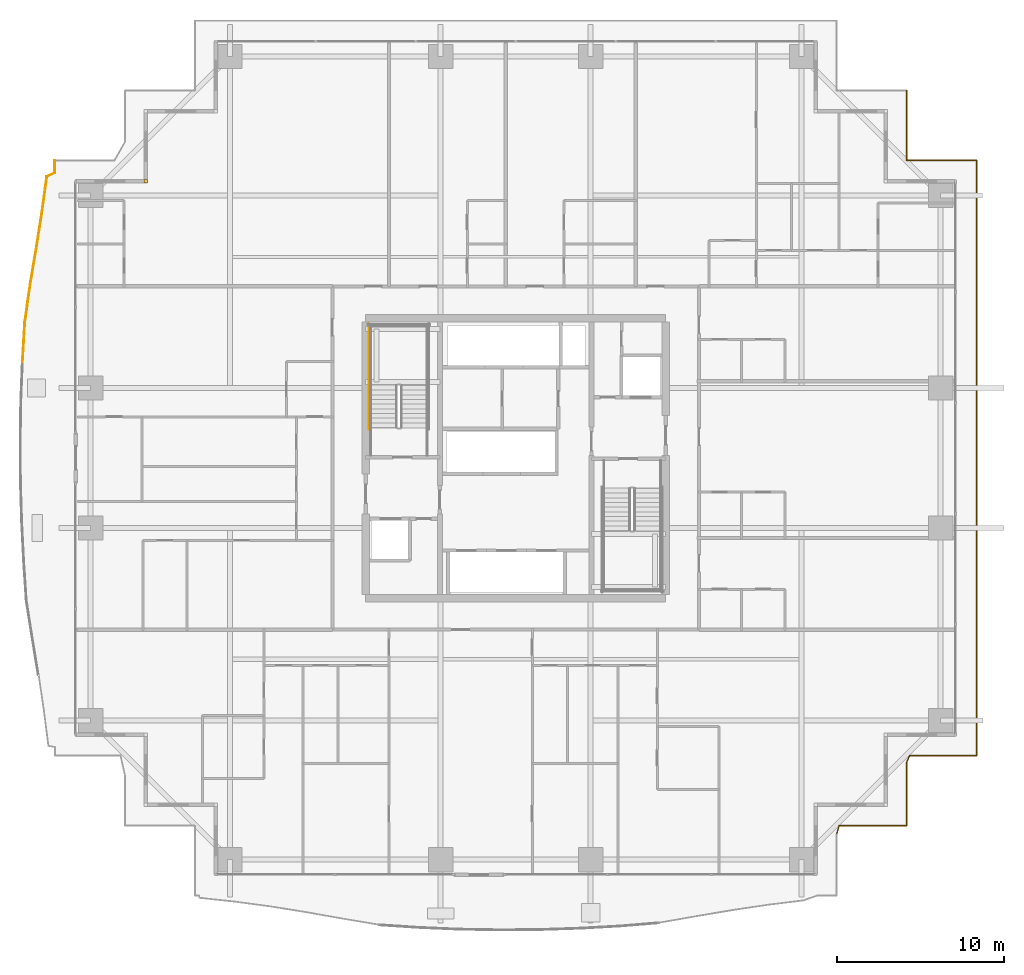
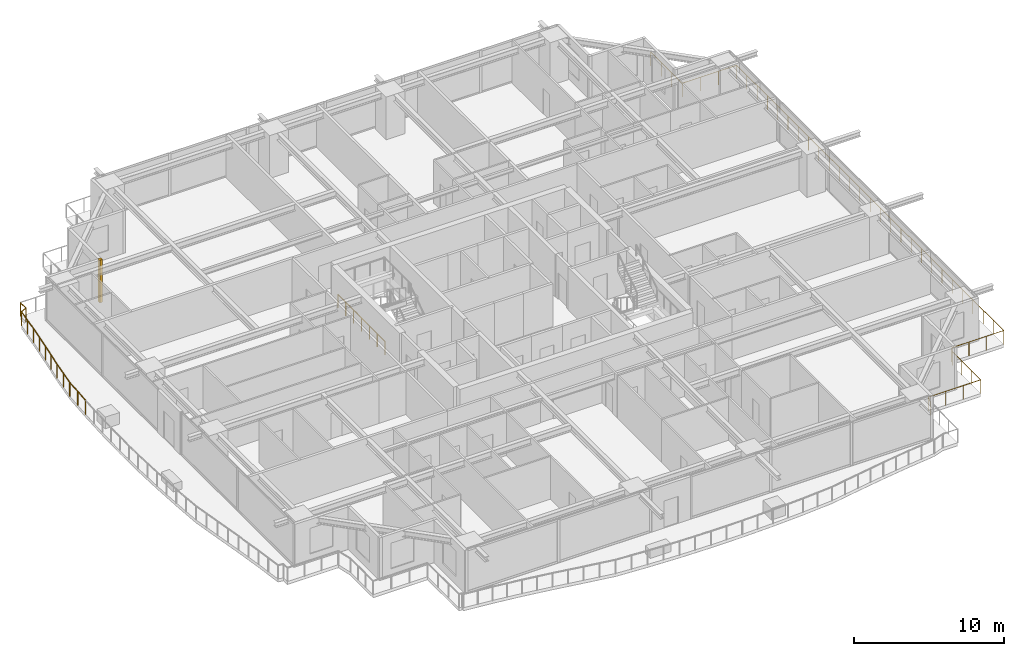
# One storey, part 38 of 40: 3 railings, 1 covering.
"""IFC4 building model written with IfcOpenShell, lengths in metres."""

from ifc_helpers import new_model, si_unit, direction, frame, origin, origin_2d, place, context, subcontext, project, spatial, rectangle, circle, extrude, source, transform, mapped, material, layer, layer_set, type_object, element, save


model = new_model("IFC4")

# Units and contexts
model_context = context("Model", 3, precision=1e-05, world=origin(), true_north=direction((0.0, 1.0)))
body_context = subcontext(model_context, "Body", "Model", "MODEL_VIEW")
ifc_project = project(units=[si_unit("LENGTHUNIT", "METRE"), si_unit("AREAUNIT", "SQUARE_METRE"), si_unit("VOLUMEUNIT", "CUBIC_METRE"), si_unit("PLANEANGLEUNIT", "RADIAN"), si_unit("MASSUNIT", "GRAM", prefix="KILO")], contexts=[model_context])

# Site, building, storey
site_placement = place(None, origin())
site = spatial("IfcSite", under=ifc_project, at=site_placement, CompositionType="ELEMENT")
building_placement = place(site_placement, origin())
building = spatial("IfcBuilding", under=site, at=building_placement, Name="Serunith Strait Residences", CompositionType="ELEMENT")
storey_placement = place(building_placement, frame((0.0, 0.0, 90.449951171875)))
storey = spatial("IfcBuildingStorey", under=building, at=storey_placement, Name="L22", CompositionType="ELEMENT", Elevation=90.449951171875)

# Railings
ifc_material_1 = material(Name="Stainless Steel & Laminated Glass Balustrade", Category="steel")
railing_type_1 = type_object("IfcRailingType", Name="RLG-BALC-1150", PredefinedType="BALUSTRADE", material=ifc_material_1)
railing_1_placement = place(storey_placement, frame((2.80810546875, 30.97265625, -0.050048828125)))
element("IfcRailing", 1, at=railing_1_placement, inside=storey, type_object=railing_type_1, Name="L22 Swirling Balcony Perimeter Balustrade 3", PredefinedType="BALUSTRADE", context=body_context, shape_type="SweptSolid", body=[
    extrude(circle(Radius=0.02392578125, at=origin_2d()), frame((0.0, 0.001953125, 1.1259765625), z_axis=(0.059018392167, 0.998256895486, 0.0), x_axis=(-0.998256895486, 0.059018392167, 0.0)), (0.0, 0.0, 1.0), 2.3623046875),
    extrude(circle(Radius=0.02392578125, at=origin_2d()), frame((0.139892578125, 2.364013671875, 1.1259765625), z_axis=(0.139427427277, 0.990232292204, 0.0), x_axis=(-0.990232292204, 0.139427427277, 0.0)), (0.0, 0.0, 1.0), 2.29345703125),
    extrude(circle(Radius=0.02392578125, at=origin_2d()), frame((0.460205078125, 4.638916015625, 1.1259765625), z_axis=(0.166864849729, 0.985979777645, 0.0), x_axis=(-0.985979777645, 0.166864849729, 0.0)), (0.0, 0.0, 1.0), 2.227294921875),
    extrude(circle(Radius=0.02392578125, at=origin_2d()), frame((0.83251953125, 6.8388671875, 1.1259765625), z_axis=(0.155307981046, 0.987866099744, 0.0), x_axis=(-0.987866099744, 0.155307981046, 0.0)), (0.0, 0.0, 1.0), 2.179443359375),
    extrude(circle(Radius=0.02392578125, at=origin_2d()), frame((1.171630859375, 8.995849609375, 1.1259765625), z_axis=(0.134966304782, 0.990850188764, 0.0), x_axis=(-0.990850188764, 0.134966304782, 0.0)), (0.0, 0.0, 1.0), 2.146728515625),
    extrude(circle(Radius=0.02392578125, at=origin_2d()), frame((1.46337890625, 11.125732421875, 1.1259765625), z_axis=(0.909912910503, 0.414799343417, 0.0), x_axis=(-0.414799343417, 0.909912910503, 0.0)), (0.0, 0.0, 1.0), 0.5126953125),
    extrude(circle(Radius=0.02392578125, at=origin_2d()), frame((1.931884765625, 11.34130859375, 1.1259765625), z_axis=(0.0, 1.0, 0.0), x_axis=(-1.0, 0.0, 0.0)), (0.0, 0.0, 1.0), 0.744140625),
    extrude(circle(Radius=0.02099609375, at=origin_2d()), origin(), (0.0, 0.0, 1.0), 1.099853515625),
    extrude(circle(Radius=0.02099609375, at=origin_2d()), frame((0.06982421875, 1.18115234375, 0.0)), (0.0, 0.0, 1.0), 1.099853515625),
    extrude(circle(Radius=0.02099609375, at=origin_2d()), frame((0.1396484375, 2.362060546875, 0.0)), (0.0, 0.0, 1.0), 1.099853515625),
    extrude(circle(Radius=0.02099609375, at=origin_2d()), frame((0.2998046875, 3.49951171875, 0.0)), (0.0, 0.0, 1.0), 1.099853515625),
    extrude(circle(Radius=0.02099609375, at=origin_2d()), frame((0.4599609375, 4.636962890625, 0.0)), (0.0, 0.0, 1.0), 1.099853515625),
    extrude(circle(Radius=0.02099609375, at=origin_2d()), frame((0.64599609375, 5.73681640625, 0.0)), (0.0, 0.0, 1.0), 1.099853515625),
    extrude(circle(Radius=0.02099609375, at=origin_2d()), frame((0.832275390625, 6.8369140625, 0.0)), (0.0, 0.0, 1.0), 1.099853515625),
    extrude(circle(Radius=0.02099609375, at=origin_2d()), frame((1.001953125, 7.91552734375, 0.0)), (0.0, 0.0, 1.0), 1.099853515625),
    extrude(circle(Radius=0.02099609375, at=origin_2d()), frame((1.17138671875, 8.993896484375, 0.0)), (0.0, 0.0, 1.0), 1.099853515625),
    extrude(circle(Radius=0.02099609375, at=origin_2d()), frame((1.31640625, 10.0595703125, 0.0)), (0.0, 0.0, 1.0), 1.099853515625),
    extrude(circle(Radius=0.02099609375, at=origin_2d()), frame((1.461669921875, 11.125, 0.0)), (0.0, 0.0, 1.0), 1.099853515625),
    extrude(circle(Radius=0.02099609375, at=origin_2d()), frame((1.931884765625, 11.33935546875, 0.0)), (0.0, 0.0, 1.0), 1.099853515625),
    extrude(circle(Radius=0.02099609375, at=origin_2d()), frame((1.931884765625, 12.08740234375, 0.0)), (0.0, 0.0, 1.0), 1.099853515625),
])
railing_2_placement = place(storey_placement, frame((55.860107421875, 47.260009765625, -0.050048828125)))
element("IfcRailing", 2, at=railing_2_placement, inside=storey, type_object=railing_type_1, Name="L22 Swirling Balcony Perimeter Balustrade 5", PredefinedType="BALUSTRADE", context=body_context, shape_type="SweptSolid", body=[
    extrude(circle(Radius=0.02392578125, at=origin_2d()), frame((0.0, -0.001953125, 1.1259765625), z_axis=(0.0, -1.0, 0.0), x_axis=(1.0, 0.0, 0.0)), (0.0, 0.0, 1.0), 4.196044921875),
    extrude(circle(Radius=0.02392578125, at=origin_2d()), frame((0.001953125, -4.199951171875, 1.1259765625), z_axis=(1.0, 0.0, 0.0), x_axis=(0.0, 1.0, 0.0)), (0.0, 0.0, 1.0), 4.196044921875),
    extrude(circle(Radius=0.02392578125, at=origin_2d()), frame((4.199951171875, -4.201904296875, 1.1259765625), z_axis=(0.0, -1.0, 0.0), x_axis=(1.0, 0.0, 0.0)), (0.0, 0.0, 1.0), 35.716064453125),
    extrude(circle(Radius=0.02392578125, at=origin_2d()), frame((4.197998046875, -39.919921875, 1.1259765625), z_axis=(-1.0, 0.0, 0.0), x_axis=(0.0, -1.0, 0.0)), (0.0, 0.0, 1.0), 4.014892578125),
    extrude(circle(Radius=0.02392578125, at=origin_2d()), frame((0.180419921875, -39.921630859375, 1.1259765625), z_axis=(-0.414518347731, -0.91004095479, 0.0), x_axis=(0.91004095479, -0.414518347731, 0.0)), (0.0, 0.0, 1.0), 0.43310546875),
    extrude(circle(Radius=0.02392578125, at=origin_2d()), frame((0.0, -40.319580078125, 1.1259765625), z_axis=(0.0, -1.0, 0.0), x_axis=(1.0, 0.0, 0.0)), (0.0, 0.0, 1.0), 3.798583984375),
    extrude(circle(Radius=0.02392578125, at=origin_2d()), frame((-0.001953125, -44.1201171875, 1.1259765625), z_axis=(-1.0, 0.0, 0.0), x_axis=(0.0, -1.0, 0.0)), (0.0, 0.0, 1.0), 4.052978515625),
    extrude(circle(Radius=0.02392578125, at=origin_2d()), frame((-4.057373046875, -44.1220703125, 1.1259765625), z_axis=(-0.257908760962, -0.966169276586, 0.0), x_axis=(0.966169276586, -0.257908760962, 0.0)), (0.0, 0.0, 1.0), 0.5517578125),
    extrude(circle(Radius=0.02099609375, at=origin_2d()), origin(), (0.0, 0.0, 1.0), 1.099853515625),
    extrude(circle(Radius=0.02099609375, at=origin_2d()), frame((0.0, -1.39990234375, 0.0)), (0.0, 0.0, 1.0), 1.099853515625),
    extrude(circle(Radius=0.02099609375, at=origin_2d()), frame((0.0, -2.800048828125, 0.0)), (0.0, 0.0, 1.0), 1.099853515625),
    extrude(circle(Radius=0.02099609375, at=origin_2d()), frame((0.0, -4.199951171875, 0.0)), (0.0, 0.0, 1.0), 1.099853515625),
    extrude(circle(Radius=0.02099609375, at=origin_2d()), frame((1.39990234375, -4.199951171875, 0.0)), (0.0, 0.0, 1.0), 1.099853515625),
    extrude(circle(Radius=0.02099609375, at=origin_2d()), frame((2.800048828125, -4.199951171875, 0.0)), (0.0, 0.0, 1.0), 1.099853515625),
    extrude(circle(Radius=0.02099609375, at=origin_2d()), frame((4.199951171875, -4.199951171875, 0.0)), (0.0, 0.0, 1.0), 1.099853515625),
    extrude(circle(Radius=0.02099609375, at=origin_2d()), frame((4.199951171875, -5.57373046875, 0.0)), (0.0, 0.0, 1.0), 1.099853515625),
    extrude(circle(Radius=0.02099609375, at=origin_2d()), frame((4.199951171875, -6.94775390625, 0.0)), (0.0, 0.0, 1.0), 1.099853515625),
    extrude(circle(Radius=0.02099609375, at=origin_2d()), frame((4.199951171875, -8.321533203125, 0.0)), (0.0, 0.0, 1.0), 1.099853515625),
    extrude(circle(Radius=0.02099609375, at=origin_2d()), frame((4.199951171875, -9.6953125, 0.0)), (0.0, 0.0, 1.0), 1.099853515625),
    extrude(circle(Radius=0.02099609375, at=origin_2d()), frame((4.199951171875, -11.069091796875, 0.0)), (0.0, 0.0, 1.0), 1.099853515625),
    extrude(circle(Radius=0.02099609375, at=origin_2d()), frame((4.199951171875, -12.443115234375, 0.0)), (0.0, 0.0, 1.0), 1.099853515625),
    extrude(circle(Radius=0.02099609375, at=origin_2d()), frame((4.199951171875, -13.81689453125, 0.0)), (0.0, 0.0, 1.0), 1.099853515625),
    extrude(circle(Radius=0.02099609375, at=origin_2d()), frame((4.199951171875, -15.190673828125, 0.0)), (0.0, 0.0, 1.0), 1.099853515625),
    extrude(circle(Radius=0.02099609375, at=origin_2d()), frame((4.199951171875, -16.564453125, 0.0)), (0.0, 0.0, 1.0), 1.099853515625),
    extrude(circle(Radius=0.02099609375, at=origin_2d()), frame((4.199951171875, -17.9384765625, 0.0)), (0.0, 0.0, 1.0), 1.099853515625),
    extrude(circle(Radius=0.02099609375, at=origin_2d()), frame((4.199951171875, -19.312255859375, 0.0)), (0.0, 0.0, 1.0), 1.099853515625),
    extrude(circle(Radius=0.02099609375, at=origin_2d()), frame((4.199951171875, -20.68603515625, 0.0)), (0.0, 0.0, 1.0), 1.099853515625),
    extrude(circle(Radius=0.02099609375, at=origin_2d()), frame((4.199951171875, -22.06005859375, 0.0)), (0.0, 0.0, 1.0), 1.099853515625),
    extrude(circle(Radius=0.02099609375, at=origin_2d()), frame((4.199951171875, -23.433837890625, 0.0)), (0.0, 0.0, 1.0), 1.099853515625),
    extrude(circle(Radius=0.02099609375, at=origin_2d()), frame((4.199951171875, -24.8076171875, 0.0)), (0.0, 0.0, 1.0), 1.099853515625),
    extrude(circle(Radius=0.02099609375, at=origin_2d()), frame((4.199951171875, -26.181396484375, 0.0)), (0.0, 0.0, 1.0), 1.099853515625),
    extrude(circle(Radius=0.02099609375, at=origin_2d()), frame((4.199951171875, -27.555419921875, 0.0)), (0.0, 0.0, 1.0), 1.099853515625),
    extrude(circle(Radius=0.02099609375, at=origin_2d()), frame((4.199951171875, -28.92919921875, 0.0)), (0.0, 0.0, 1.0), 1.099853515625),
    extrude(circle(Radius=0.02099609375, at=origin_2d()), frame((4.199951171875, -30.302978515625, 0.0)), (0.0, 0.0, 1.0), 1.099853515625),
    extrude(circle(Radius=0.02099609375, at=origin_2d()), frame((4.199951171875, -31.6767578125, 0.0)), (0.0, 0.0, 1.0), 1.099853515625),
    extrude(circle(Radius=0.02099609375, at=origin_2d()), frame((4.199951171875, -33.05078125, 0.0)), (0.0, 0.0, 1.0), 1.099853515625),
    extrude(circle(Radius=0.02099609375, at=origin_2d()), frame((4.199951171875, -34.424560546875, 0.0)), (0.0, 0.0, 1.0), 1.099853515625),
    extrude(circle(Radius=0.02099609375, at=origin_2d()), frame((4.199951171875, -35.79833984375, 0.0)), (0.0, 0.0, 1.0), 1.099853515625),
    extrude(circle(Radius=0.02099609375, at=origin_2d()), frame((4.199951171875, -37.172119140625, 0.0)), (0.0, 0.0, 1.0), 1.099853515625),
    extrude(circle(Radius=0.02099609375, at=origin_2d()), frame((4.199951171875, -38.546142578125, 0.0)), (0.0, 0.0, 1.0), 1.099853515625),
    extrude(circle(Radius=0.02099609375, at=origin_2d()), frame((4.199951171875, -39.919921875, 0.0)), (0.0, 0.0, 1.0), 1.099853515625),
    extrude(circle(Radius=0.02099609375, at=origin_2d()), frame((2.8603515625, -39.919921875, 0.0)), (0.0, 0.0, 1.0), 1.099853515625),
    extrude(circle(Radius=0.02099609375, at=origin_2d()), frame((1.520751953125, -39.919921875, 0.0)), (0.0, 0.0, 1.0), 1.099853515625),
    extrude(circle(Radius=0.02099609375, at=origin_2d()), frame((0.18115234375, -39.919921875, 0.0)), (0.0, 0.0, 1.0), 1.099853515625),
    extrude(circle(Radius=0.02099609375, at=origin_2d()), frame((0.0, -40.317626953125, 0.0)), (0.0, 0.0, 1.0), 1.099853515625),
    extrude(circle(Radius=0.02099609375, at=origin_2d()), frame((0.0, -41.585205078125, 0.0)), (0.0, 0.0, 1.0), 1.099853515625),
    extrude(circle(Radius=0.02099609375, at=origin_2d()), frame((0.0, -42.8525390625, 0.0)), (0.0, 0.0, 1.0), 1.099853515625),
    extrude(circle(Radius=0.02099609375, at=origin_2d()), frame((0.0, -44.1201171875, 0.0)), (0.0, 0.0, 1.0), 1.099853515625),
    extrude(circle(Radius=0.02099609375, at=origin_2d()), frame((-1.352294921875, -44.1201171875, 0.0)), (0.0, 0.0, 1.0), 1.099853515625),
    extrude(circle(Radius=0.02099609375, at=origin_2d()), frame((-2.70458984375, -44.1201171875, 0.0)), (0.0, 0.0, 1.0), 1.099853515625),
    extrude(circle(Radius=0.02099609375, at=origin_2d()), frame((-4.056884765625, -44.1201171875, 0.0)), (0.0, 0.0, 1.0), 1.099853515625),
    extrude(circle(Radius=0.02099609375, at=origin_2d()), frame((-4.2001953125, -44.656982421875, 0.0)), (0.0, 0.0, 1.0), 1.099853515625),
])
ifc_material_2 = material(Name="Brushed stainless steel 316L", Category="steel")
railing_type_2 = type_object("IfcRailingType", Name="RLG-STAIR-GUARD", PredefinedType="BALUSTRADE", material=ifc_material_2)
railing_3_placement = place(storey_placement, frame((23.60009765625, 26.929931640625, 0.0)))
element("IfcRailing", 3, at=railing_3_placement, inside=storey, type_object=railing_type_2, Name="L22 ST-1 stair guard 11", PredefinedType="BALUSTRADE", context=body_context, shape_type="SweptSolid", body=[
    extrude(circle(Radius=0.02392578125, at=origin_2d()), frame((0.0, 0.001953125, 1.076171875), z_axis=(0.0, 1.0, 0.0), x_axis=(-1.0, 0.0, 0.0)), (0.0, 0.0, 1.0), 6.316162109375),
    extrude(circle(Radius=0.02099609375, at=origin_2d()), origin(), (0.0, 0.0, 1.0), 1.050048828125),
    extrude(circle(Radius=0.02099609375, at=origin_2d()), frame((0.0, 1.05322265625, 0.0)), (0.0, 0.0, 1.0), 1.050048828125),
    extrude(circle(Radius=0.02099609375, at=origin_2d()), frame((0.0, 2.106689453125, 0.0)), (0.0, 0.0, 1.0), 1.050048828125),
    extrude(circle(Radius=0.02099609375, at=origin_2d()), frame((0.0, 3.16015625, 0.0)), (0.0, 0.0, 1.0), 1.050048828125),
    extrude(circle(Radius=0.02099609375, at=origin_2d()), frame((0.0, 4.21337890625, 0.0)), (0.0, 0.0, 1.0), 1.050048828125),
    extrude(circle(Radius=0.02099609375, at=origin_2d()), frame((0.0, 5.2666015625, 0.0)), (0.0, 0.0, 1.0), 1.050048828125),
    extrude(circle(Radius=0.02099609375, at=origin_2d()), frame((0.0, 6.320068359375, 0.0)), (0.0, 0.0, 1.0), 1.050048828125),
])

# Covering
ifc_material_3 = material(Name="Pale-Champagne Anodised Aluminium", Category="aluminium")
ifc_layer = layer(ifc_material_3, 0.219970703125, Name="Pale-Champagne Anodised Aluminium")
ifc_layer_set = layer_set([ifc_layer], Name="Pale-Champagne Anodised Aluminium")
covering_type = type_object("IfcCoveringType", Name="COV-CORN-TRIM", PredefinedType="CLADDING", material=ifc_layer_set)
shared_shape = source(origin(), body_context, "Body", "SweptSolid", [
    extrude(rectangle(XDim=0.221923828125, YDim=0.221923828125, at=origin_2d()), origin(), (0.0, 0.0, 1.0), 3.47509765625),
])
covering_placement = place(storey_placement, frame((10.199951171875, 41.800048828125, 0.0), z_axis=(0.0, 0.0, 1.0), x_axis=(1.0, 0.0, 0.0)))
element("IfcCovering", 4, at=covering_placement, inside=storey, type_object=covering_type, Name="L22 Girih Serrated Corner Trim Post 14", PredefinedType="CLADDING", context=body_context, shape_type="MappedRepresentation", body=[
    mapped(shared_shape, transform((0.0, 0.0, 0.0), scale=1.0)),
])

save(model, "model.ifc")
